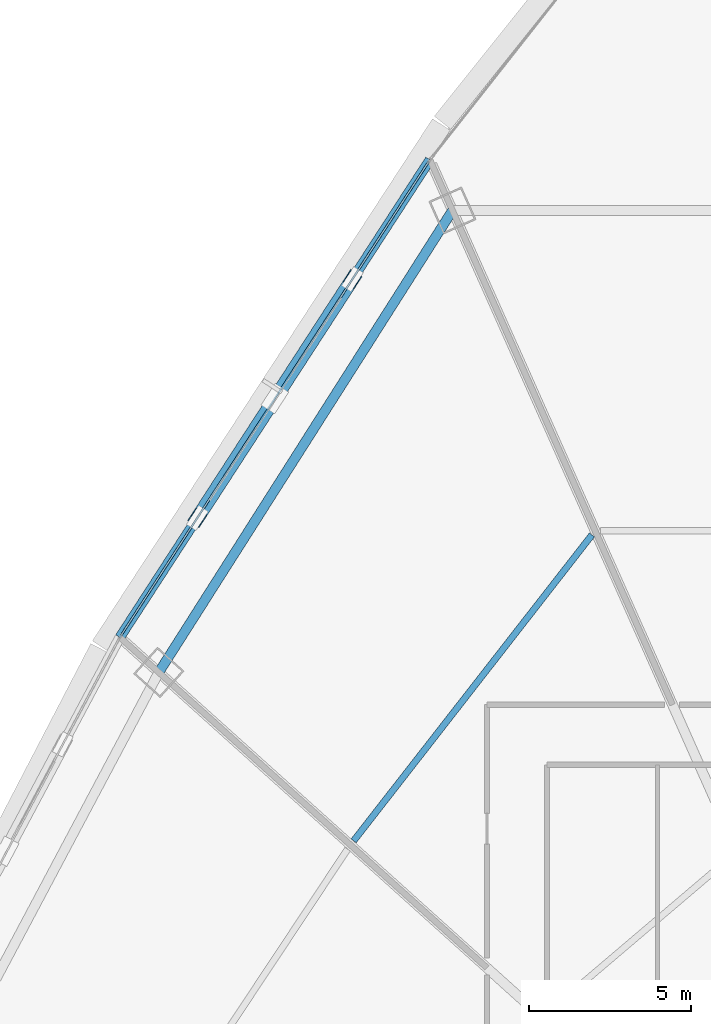
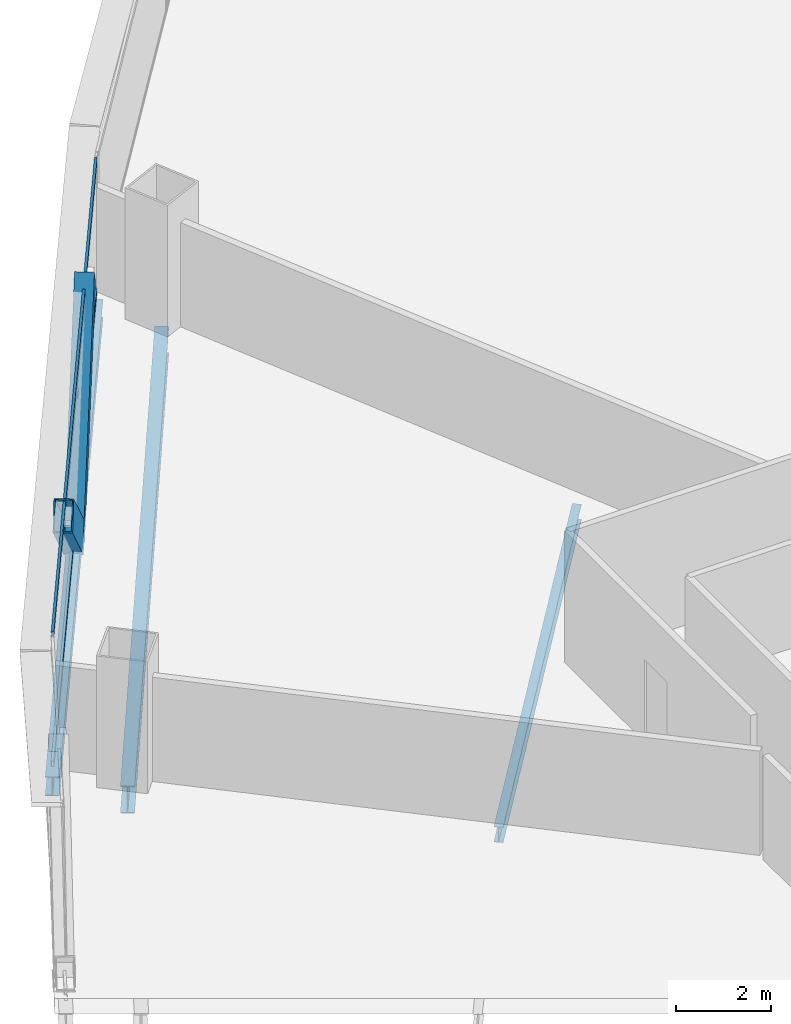
# One storey, part 17 of 42: 4 members, 3 beams, 1 element without a shape of its own.
"""IFC4 building model written with IfcOpenShell, lengths in metres."""

from ifc_helpers import new_model, si_unit, direction, frame, origin, origin_2d, place, context, subcontext, project, spatial, hollow_rectangle, i_section, extrude, source, transform, mapped, material, layer, layer_set, material_profile, profile_set, type_object, element, aggregate, save


model = new_model("IFC4")

# Units and contexts
model_context = context("Model", 3, precision=1e-05, world=origin(), true_north=direction((0.0, 1.0)))
body_context = subcontext(model_context, "Body", "Model", "MODEL_VIEW")
ifc_project = project(units=[si_unit("LENGTHUNIT", "METRE"), si_unit("AREAUNIT", "SQUARE_METRE"), si_unit("VOLUMEUNIT", "CUBIC_METRE"), si_unit("PLANEANGLEUNIT", "RADIAN"), si_unit("MASSUNIT", "GRAM", prefix="KILO"), si_unit("THERMODYNAMICTEMPERATUREUNIT", "KELVIN"), si_unit("POWERUNIT", "WATT")], contexts=[model_context])

# Site, building, storey
site_placement = place(None, origin())
site = spatial("IfcSite", under=ifc_project, at=site_placement, CompositionType="ELEMENT")
building_placement = place(site_placement, origin())
building = spatial("IfcBuilding", under=site, at=building_placement, Name="Yunzhuo Pagoda Commons", CompositionType="ELEMENT")
storey_placement = place(building_placement, frame((0.0, 0.0, 41.2900390625)))
storey = spatial("IfcBuildingStorey", under=building, at=storey_placement, Name="L10", CompositionType="ELEMENT", Elevation=41.2900390625)

# Beams
ifc_material_1 = material(Name="Structural steel Q355B", Category="steel")
ifc_material_profile_1 = material_profile(ifc_material_1, i_section(OverallWidth=0.300048828125, OverallDepth=0.699951171875, WebThickness=0.012939453125, FlangeThickness=0.02392578125, at=origin_2d()), Name="Structural steel Q355B")
ifc_profile_set_1 = profile_set([ifc_material_profile_1], Name="Structural steel Q355B")
beam_type_1 = type_object("IfcBeamType", Name="B-RG1 Beam HN 700x300x13x24", PredefinedType="BEAM", material=ifc_profile_set_1)
shared_shape_1 = source(origin(), body_context, "Body", "SweptSolid", [
    extrude(i_section(OverallWidth=0.300048828125, OverallDepth=0.699951171875, WebThickness=0.012939453125, FlangeThickness=0.02392578125, at=origin_2d()), origin(), (0.0, 0.0, 1.0), 16.843994140625),
])
beam_1_placement = place(storey_placement, frame((31.38916015625, 71.008544921875, -0.610107421875), z_axis=(-0.536558458992, -0.843863152462, 0.0), x_axis=(0.843863152462, -0.536558458992, 0.0)))
element("IfcBeam", 1, at=beam_1_placement, inside=storey, type_object=beam_type_1, Name="L10 column-ring beam 9", PredefinedType="BEAM", context=body_context, shape_type="MappedRepresentation", body=[
    mapped(shared_shape_1, transform((0.0, 0.0, 0.0), scale=1.0)),
])
ifc_material_profile_2 = material_profile(ifc_material_1, i_section(OverallWidth=0.199951171875, OverallDepth=0.39990234375, WebThickness=0.008056640625, FlangeThickness=0.012939453125, at=origin_2d()), Name="Structural steel Q355B")
ifc_profile_set_2 = profile_set([ifc_material_profile_2], Name="Structural steel Q355B")
beam_type_2 = type_object("IfcBeamType", Name="B-JS1 Joist HN 400x200x8x13", PredefinedType="JOIST", material=ifc_profile_set_2)
shared_shape_2 = source(origin(), body_context, "Body", "SweptSolid", [
    extrude(i_section(OverallWidth=0.199951171875, OverallDepth=0.39990234375, WebThickness=0.008056640625, FlangeThickness=0.012939453125, at=origin_2d()), origin(), (0.0, 0.0, 1.0), 11.934326171875),
])
beam_2_placement = place(storey_placement, frame((35.680908203125, 61.0244140625, -0.4599609375), z_axis=(-0.614546587023, -0.788880531119, 0.0), x_axis=(0.788880531119, -0.614546587023, 0.0)))
element("IfcBeam", 2, at=beam_2_placement, inside=storey, type_object=beam_type_2, Name="L10 composite ring joist 2.9", PredefinedType="JOIST", context=body_context, shape_type="MappedRepresentation", body=[
    mapped(shared_shape_2, transform((0.0, 0.0, 0.0), scale=1.0)),
])
ifc_material_profile_3 = material_profile(ifc_material_1, i_section(OverallWidth=0.300048828125, OverallDepth=0.488037109375, WebThickness=0.010986328125, FlangeThickness=0.01806640625, at=origin_2d()), Name="Structural steel Q355B")
ifc_profile_set_3 = profile_set([ifc_material_profile_3], Name="Structural steel Q355B")
beam_type_3 = type_object("IfcBeamType", Name="B-SP1 Beam HM 488x300x11x18", PredefinedType="BEAM", material=ifc_profile_set_3)
shared_shape_3 = source(origin(), body_context, "Body", "SweptSolid", [
    extrude(i_section(OverallWidth=0.300048828125, OverallDepth=0.488037109375, WebThickness=0.010986328125, FlangeThickness=0.01806640625, at=origin_2d()), origin(), (0.0, 0.0, 1.0), 17.521728515625),
])
beam_3_placement = place(storey_placement, frame((30.694580078125, 72.56884765625, -0.504150390625), z_axis=(-0.544582276672, -0.838707424514, 0.0), x_axis=(0.838707424514, -0.544582276672, 0.0)))
element("IfcBeam", 3, at=beam_3_placement, inside=storey, type_object=beam_type_3, Name="L10 facade edge spandrel beam F3.1", PredefinedType="BEAM", context=body_context, shape_type="MappedRepresentation", body=[
    mapped(shared_shape_3, transform((0.0, 0.0, 0.0), scale=1.0)),
])

# Members
ifc_material_2 = material(Name="Structural steel Q420B", Category="steel")
ifc_material_profile_4 = material_profile(ifc_material_2, hollow_rectangle(XDim=0.419921875, YDim=0.719970703125, WallThickness=0.028076171875, at=origin_2d()), Name="Structural steel Q420B")
ifc_profile_set_4 = profile_set([ifc_material_profile_4], Name="Structural steel Q420B")
member_type_1 = type_object("IfcMemberType", Name="M-DL1 Brace BOX 720x420x28", PredefinedType="BRACE", material=ifc_profile_set_4)
shared_shape_4 = source(origin(), body_context, "Body", "SweptSolid", [
    extrude(hollow_rectangle(XDim=0.419921875, YDim=0.719970703125, WallThickness=0.028076171875, at=origin_2d()), origin(), (0.0, 0.0, 1.0), 5.68896484375),
])
for number, where, z_axis, x_axis, name in (
    (4, (25.923583984375, 65.22119140625, -0.260009765625), (0.419312869877, 0.64581305688, 0.638045619622), (-0.838719820752, 0.544563184834, 0.0), "L10 facade diamond brace F3.1L"),
    (5, (25.923583984375, 65.22119140625, -0.260009765625), (-0.419312869877, -0.64581305688, 0.638045619622), (0.838719820752, -0.544563184834, 0.0), "L10 facade diamond brace F3.1R"),
):
    element("IfcMember", number, at=place(storey_placement, frame(where, z_axis=z_axis, x_axis=x_axis)), inside=storey, type_object=member_type_1, Name=name, PredefinedType="BRACE", context=body_context, shape_type="MappedRepresentation", body=[
        mapped(shared_shape_4, transform((0.0, 0.0, 0.0), scale=1.0)),
    ])

# Curtain wall, members
ifc_material_3 = material(Name="Anodized aluminium 6063-T6", Category="aluminium")
ifc_layer = layer(ifc_material_3, 0.1650390625)
ifc_layer_set = layer_set([ifc_layer], Name="Anodized aluminium 6063-T6")
curtain_wall_type = type_object("IfcCurtainWallType", Name="CW-LOW Low-Zone Ribbon Curtain Wall", PredefinedType="NOTDEFINED", material=ifc_layer_set)
curtain_wall_placement = place(storey_placement, origin())
curtain_wall = element("IfcCurtainWall", 6, at=curtain_wall_placement, inside=storey, type_object=curtain_wall_type, Name="L10 curtain wall CW-L10-F3B2", PredefinedType="NOTDEFINED")
ifc_material_profile_5 = material_profile(ifc_material_3, hollow_rectangle(XDim=0.06005859375, YDim=0.139892578125, WallThickness=0.00341796875, at=origin_2d()), Name="Anodized aluminium 6063-T6")
ifc_profile_set_5 = profile_set([ifc_material_profile_5], Name="Anodized aluminium 6063-T6")
member_type_2 = type_object("IfcMemberType", Name="CW-LOW-T Transom RHS 140x60x3.5", PredefinedType="USERDEFINED", material=ifc_profile_set_5)
shared_shape_5 = source(origin(), body_context, "Body", "SweptSolid", [
    extrude(hollow_rectangle(XDim=0.06005859375, YDim=0.139892578125, WallThickness=0.00341796875, at=origin_2d()), origin(), (0.0, 0.0, 1.0), 17.391357421875),
])
member_1_placement = place(storey_placement, frame((30.6591796875, 72.514404296875, 0.030029296875), z_axis=(-0.544591079988, -0.838701708355, 0.0), x_axis=(0.838701708355, -0.544591079988, 0.0)))
member_1 = element("IfcMember", 7, at=member_1_placement, type_object=member_type_2, Name="CW transom 1.1", ObjectType="TRANSOM", PredefinedType="USERDEFINED", context=body_context, shape_type="MappedRepresentation", body=[
    mapped(shared_shape_5, transform((0.0, 0.0, 0.0), scale=1.0)),
])
member_2_placement = place(storey_placement, frame((30.6591796875, 72.514404296875, 3.33984375), z_axis=(-0.544591079988, -0.838701708355, 0.0), x_axis=(0.838701708355, -0.544591079988, 0.0)))
member_2 = element("IfcMember", 8, at=member_2_placement, type_object=member_type_2, Name="CW transom 1.2", ObjectType="TRANSOM", PredefinedType="USERDEFINED", context=body_context, shape_type="MappedRepresentation", body=[
    mapped(shared_shape_5, transform((0.0, 0.0, 0.0), scale=1.0)),
])
aggregate(curtain_wall, [member_1, member_2])

save(model, "model.ifc")
